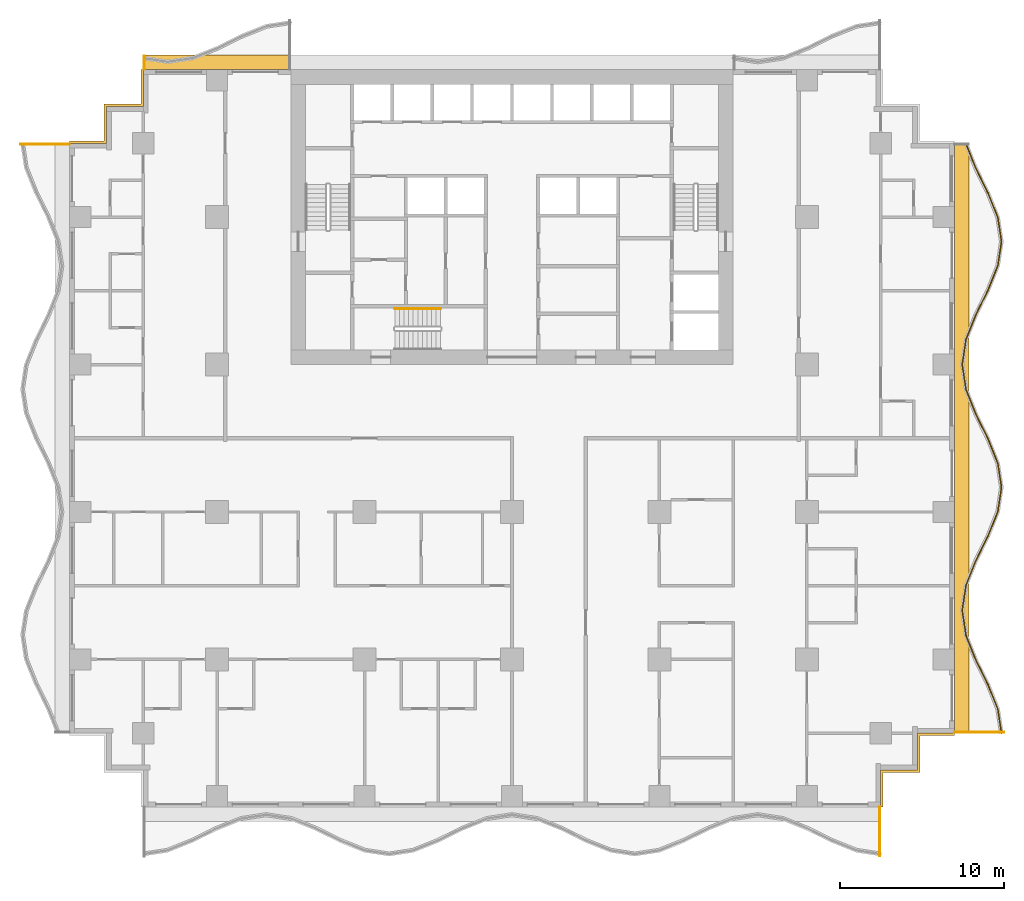
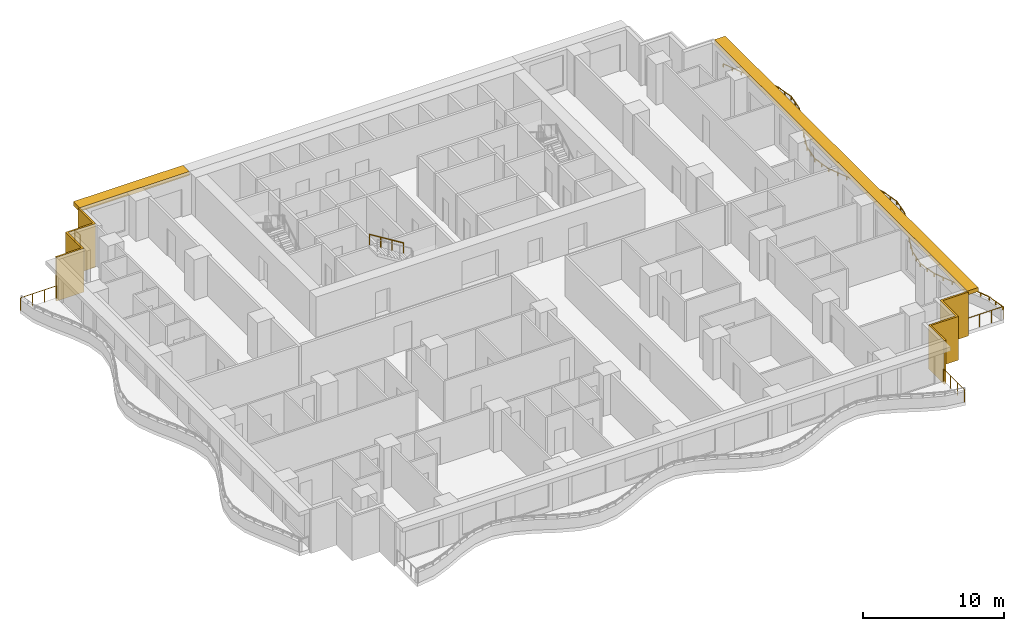
# One storey, part 11 of 14: 6 railings, 4 shading devices.
"""IFC4 building model written with IfcOpenShell, lengths in metres."""

from ifc_helpers import new_model, si_unit, direction, frame, origin, origin_2d, place, context, subcontext, project, spatial, polyline, rectangle, circle, outline, extrude, material, layer, layer_set, type_object, element, save


model = new_model("IFC4")

# Units and contexts
model_context = context("Model", 3, precision=1e-05, world=origin(), true_north=direction((0.0, 1.0)))
body_context = subcontext(model_context, "Body", "Model", "MODEL_VIEW")
ifc_project = project(units=[si_unit("LENGTHUNIT", "METRE"), si_unit("AREAUNIT", "SQUARE_METRE"), si_unit("VOLUMEUNIT", "CUBIC_METRE"), si_unit("PLANEANGLEUNIT", "RADIAN"), si_unit("MASSUNIT", "GRAM", prefix="KILO")], contexts=[model_context])

# Site, building, storey
site_placement = place(None, origin())
site = spatial("IfcSite", under=ifc_project, at=site_placement, CompositionType="ELEMENT")
building_placement = place(site_placement, origin())
building = spatial("IfcBuilding", under=site, at=building_placement, Name="Orbiselva Terraces", CompositionType="ELEMENT")
storey_placement = place(building_placement, frame((0.0, 0.0, 84.6)))
storey = spatial("IfcBuildingStorey", under=building, at=storey_placement, Name="L21", CompositionType="ELEMENT", Elevation=84.6)

# Railings
ifc_material_1 = material(Name="Stainless steel", Category="steel")
railing_type_1 = type_object("IfcRailingType", Name="CORE-HANDRAIL-900", PredefinedType="HANDRAIL", material=ifc_material_1)
railing_1_placement = place(storey_placement, frame((-4.35, 7.9, 2.072727)))
element("IfcRailing", 1, at=railing_1_placement, inside=storey, type_object=railing_type_1, Name="L21 S3 stair handrail 2", PredefinedType="HANDRAIL", context=body_context, shape_type="SweptSolid", body=[
    extrude(circle(Radius=0.024, at=origin_2d()), frame((0.0, 0.0, 0.876), z_axis=(-0.851088519012, 0.0, 0.52502222125), x_axis=(0.0, -1.0, 0.0)), (0.0, 0.0, 1.0), 3.289905),
    extrude(circle(Radius=0.021, at=origin_2d()), origin(), (0.0, 0.0, 1.0), 0.852),
    extrude(circle(Radius=0.021, at=origin_2d()), frame((-0.933333, 0.0, 0.575758)), (0.0, 0.0, 1.0), 0.852),
    extrude(circle(Radius=0.021, at=origin_2d()), frame((-1.866667, 0.0, 1.151515)), (0.0, 0.0, 1.0), 0.852),
    extrude(circle(Radius=0.021, at=origin_2d()), frame((-2.8, 0.0, 1.727273)), (0.0, 0.0, 1.0), 0.852),
])
ifc_material_2 = material(Name="Bonded two-ply safety glass balustrade, stainless steel posts", Category="steel")
railing_type_2 = type_object("IfcRailingType", Name="ENV-BALUSTRADE-1200", PredefinedType="BALUSTRADE", material=ifc_material_2)
railing_2_placement = place(storey_placement, frame((29.876434, -18.018879, 0.9)))
element("IfcRailing", 2, at=railing_2_placement, inside=storey, type_object=railing_type_2, Name="Balcony balustrade L21 E", PredefinedType="BALUSTRADE", context=body_context, shape_type="SweptSolid", body=[
    extrude(outline(polyline([(0.028868, 0.0), (0.014434, 0.025), (-0.014434, 0.025), (-0.028868, 0.0), (-0.014434, -0.025), (0.014434, -0.025), (0.028868, 0.0)])), frame((0.0, 0.0, 0.275), z_axis=(-0.151034103443, 0.988528552748, 0.0), x_axis=(-0.988528552748, -0.151034103443, 0.0)), (0.0, 0.0, 1.0), 1.503038),
    extrude(outline(polyline([(0.028868, 0.0), (0.014434, 0.025), (-0.014434, 0.025), (-0.028868, 0.0), (-0.014434, -0.025), (0.014434, -0.025), (0.028868, 0.0)])), frame((-0.22701, 1.485796, 0.275), z_axis=(-0.371391000387, 0.928476561272, 0.0), x_axis=(-0.928476561272, -0.371391000387, 0.0)), (0.0, 0.0, 1.0), 1.596261),
    extrude(outline(polyline([(0.028868, 0.0), (0.014434, 0.025), (-0.014434, 0.025), (-0.028868, 0.0), (-0.014434, -0.025), (0.014434, -0.025), (0.028868, 0.0)])), frame((-0.819847, 2.967887, 0.275), z_axis=(-0.443212307306, 0.896416672454, 0.0), x_axis=(-0.896416672454, -0.443212307306, 0.0)), (0.0, 0.0, 1.0), 1.673329),
    extrude(outline(polyline([(0.028868, 0.0), (0.014434, 0.025), (-0.014434, 0.025), (-0.028868, 0.0), (-0.014434, -0.025), (0.014434, -0.025), (0.028868, 0.0)])), frame((-1.561487, 4.467887, 0.275), z_axis=(-0.371390359967, 0.92847681744, 0.0), x_axis=(-0.92847681744, -0.371390359967, 0.0)), (0.0, 0.0, 1.0), 1.634838),
    extrude(outline(polyline([(0.028868, 0.0), (0.014434, 0.025), (-0.014434, 0.025), (-0.028868, 0.0), (-0.014434, -0.025), (0.014434, -0.025), (0.028868, 0.0)])), frame((-2.16865, 5.985796, 0.275), z_axis=(-0.151034211256, 0.988528536275, 0.0), x_axis=(-0.988528536275, -0.151034211256, 0.0)), (0.0, 0.0, 1.0), 1.550874),
    extrude(outline(polyline([(0.028868, 0.0), (0.014434, 0.025), (-0.014434, 0.025), (-0.028868, 0.0), (-0.014434, -0.025), (0.014434, -0.025), (0.028868, 0.0)])), frame((-2.402885, 7.518879, 0.275), z_axis=(0.151034211256, 0.988528536275, 0.0), x_axis=(-0.988528536275, 0.151034211256, 0.0)), (0.0, 0.0, 1.0), 1.550874),
    extrude(outline(polyline([(0.028868, 0.0), (0.014434, 0.025), (-0.014434, 0.025), (-0.028868, 0.0), (-0.014434, -0.025), (0.014434, -0.025), (0.028868, 0.0)])), frame((-2.16865, 9.051962, 0.275), z_axis=(0.371390359967, 0.92847681744, 0.0), x_axis=(-0.92847681744, 0.371390359967, 0.0)), (0.0, 0.0, 1.0), 1.634838),
    extrude(outline(polyline([(0.028868, 0.0), (0.014434, 0.025), (-0.014434, 0.025), (-0.028868, 0.0), (-0.014434, -0.025), (0.014434, -0.025), (0.028868, 0.0)])), frame((-1.561487, 10.569871, 0.275), z_axis=(0.443212307306, 0.896416672454, 0.0), x_axis=(-0.896416672454, 0.443212307306, 0.0)), (0.0, 0.0, 1.0), 1.673329),
    extrude(outline(polyline([(0.028868, 0.0), (0.014434, 0.025), (-0.014434, 0.025), (-0.028868, 0.0), (-0.014434, -0.025), (0.014434, -0.025), (0.028868, 0.0)])), frame((-0.819847, 12.069871, 0.275), z_axis=(0.371391000387, 0.928476561272, 0.0), x_axis=(-0.928476561272, 0.371391000387, 0.0)), (0.0, 0.0, 1.0), 1.596261),
    extrude(outline(polyline([(0.028868, 0.0), (0.014434, 0.025), (-0.014434, 0.025), (-0.028868, 0.0), (-0.014434, -0.025), (0.014434, -0.025), (0.028868, 0.0)])), frame((-0.22701, 13.551962, 0.275), z_axis=(0.151033749027, 0.988528606898, 0.0), x_axis=(-0.988528606898, 0.151033749027, 0.0)), (0.0, 0.0, 1.0), 1.48394),
    extrude(outline(polyline([(0.028868, 0.0), (0.014434, 0.025), (-0.014434, 0.025), (-0.028868, 0.0), (-0.014434, -0.025), (0.014434, -0.025), (0.028868, 0.0)])), frame((-0.002885, 15.018879, 0.275), z_axis=(-0.151033749027, 0.988528606898, 0.0), x_axis=(-0.988528606898, -0.151033749027, 0.0)), (0.0, 0.0, 1.0), 1.48394),
    extrude(outline(polyline([(0.028868, 0.0), (0.014434, 0.025), (-0.014434, 0.025), (-0.028868, 0.0), (-0.014434, -0.025), (0.014434, -0.025), (0.028868, 0.0)])), frame((-0.22701, 16.485796, 0.275), z_axis=(-0.371391000387, 0.928476561272, 0.0), x_axis=(-0.928476561272, -0.371391000387, 0.0)), (0.0, 0.0, 1.0), 1.596261),
    extrude(outline(polyline([(0.028868, 0.0), (0.014434, 0.025), (-0.014434, 0.025), (-0.028868, 0.0), (-0.014434, -0.025), (0.014434, -0.025), (0.028868, 0.0)])), frame((-0.819847, 17.967887, 0.275), z_axis=(-0.443212307306, 0.896416672454, 0.0), x_axis=(-0.896416672454, -0.443212307306, 0.0)), (0.0, 0.0, 1.0), 1.673329),
    extrude(outline(polyline([(0.028868, 0.0), (0.014434, 0.025), (-0.014434, 0.025), (-0.028868, 0.0), (-0.014434, -0.025), (0.014434, -0.025), (0.028868, 0.0)])), frame((-1.561487, 19.467887, 0.275), z_axis=(-0.371390359967, 0.92847681744, 0.0), x_axis=(-0.92847681744, -0.371390359967, 0.0)), (0.0, 0.0, 1.0), 1.634838),
    extrude(outline(polyline([(0.028868, 0.0), (0.014434, 0.025), (-0.014434, 0.025), (-0.028868, 0.0), (-0.014434, -0.025), (0.014434, -0.025), (0.028868, 0.0)])), frame((-2.16865, 20.985796, 0.275), z_axis=(-0.151034211256, 0.988528536275, 0.0), x_axis=(-0.988528536275, -0.151034211256, 0.0)), (0.0, 0.0, 1.0), 1.550874),
    extrude(outline(polyline([(0.028868, 0.0), (0.014434, 0.025), (-0.014434, 0.025), (-0.028868, 0.0), (-0.014434, -0.025), (0.014434, -0.025), (0.028868, 0.0)])), frame((-2.402885, 22.518879, 0.275), z_axis=(0.151034211256, 0.988528536275, 0.0), x_axis=(-0.988528536275, 0.151034211256, 0.0)), (0.0, 0.0, 1.0), 1.550874),
    extrude(outline(polyline([(0.028868, 0.0), (0.014434, 0.025), (-0.014434, 0.025), (-0.028868, 0.0), (-0.014434, -0.025), (0.014434, -0.025), (0.028868, 0.0)])), frame((-2.16865, 24.051962, 0.275), z_axis=(0.371390359967, 0.92847681744, 0.0), x_axis=(-0.92847681744, 0.371390359967, 0.0)), (0.0, 0.0, 1.0), 1.634838),
    extrude(outline(polyline([(0.028868, 0.0), (0.014434, 0.025), (-0.014434, 0.025), (-0.028868, 0.0), (-0.014434, -0.025), (0.014434, -0.025), (0.028868, 0.0)])), frame((-1.561487, 25.569871, 0.275), z_axis=(0.443212307306, 0.896416672454, 0.0), x_axis=(-0.896416672454, 0.443212307306, 0.0)), (0.0, 0.0, 1.0), 1.673329),
    extrude(outline(polyline([(0.028868, 0.0), (0.014434, 0.025), (-0.014434, 0.025), (-0.028868, 0.0), (-0.014434, -0.025), (0.014434, -0.025), (0.028868, 0.0)])), frame((-0.819847, 27.069871, 0.275), z_axis=(0.371391000387, 0.928476561272, 0.0), x_axis=(-0.928476561272, 0.371391000387, 0.0)), (0.0, 0.0, 1.0), 1.596261),
    extrude(outline(polyline([(0.028868, 0.0), (0.014434, 0.025), (-0.014434, 0.025), (-0.028868, 0.0), (-0.014434, -0.025), (0.014434, -0.025), (0.028868, 0.0)])), frame((-0.22701, 28.551962, 0.275), z_axis=(0.151033749027, 0.988528606898, 0.0), x_axis=(-0.988528606898, 0.151033749027, 0.0)), (0.0, 0.0, 1.0), 1.48394),
    extrude(outline(polyline([(0.028868, 0.0), (0.014434, 0.025), (-0.014434, 0.025), (-0.028868, 0.0), (-0.014434, -0.025), (0.014434, -0.025), (0.028868, 0.0)])), frame((-0.002885, 30.018879, 0.275), z_axis=(-0.151033749027, 0.988528606898, 0.0), x_axis=(-0.988528606898, -0.151033749027, 0.0)), (0.0, 0.0, 1.0), 1.48394),
    extrude(outline(polyline([(0.028868, 0.0), (0.014434, 0.025), (-0.014434, 0.025), (-0.028868, 0.0), (-0.014434, -0.025), (0.014434, -0.025), (0.028868, 0.0)])), frame((-0.22701, 31.485796, 0.275), z_axis=(-0.371391000387, 0.928476561272, 0.0), x_axis=(-0.928476561272, -0.371391000387, 0.0)), (0.0, 0.0, 1.0), 1.596261),
    extrude(outline(polyline([(0.028868, 0.0), (0.014434, 0.025), (-0.014434, 0.025), (-0.028868, 0.0), (-0.014434, -0.025), (0.014434, -0.025), (0.028868, 0.0)])), frame((-0.819847, 32.967887, 0.275), z_axis=(-0.443212307306, 0.896416672454, 0.0), x_axis=(-0.896416672454, -0.443212307306, 0.0)), (0.0, 0.0, 1.0), 1.673329),
    extrude(outline(polyline([(0.028868, 0.0), (0.014434, 0.025), (-0.014434, 0.025), (-0.028868, 0.0), (-0.014434, -0.025), (0.014434, -0.025), (0.028868, 0.0)])), frame((-1.561487, 34.467887, 0.275), z_axis=(-0.371390569957, 0.928476733444, 0.0), x_axis=(-0.928476733444, -0.371390569957, 0.0)), (0.0, 0.0, 1.0), 1.620469),
    extrude(rectangle(XDim=0.05, YDim=0.05, at=origin_2d()), origin(), (0.0, 0.0, 1.0), 0.25),
    extrude(rectangle(XDim=0.05, YDim=0.05, at=origin_2d()), frame((-0.113505, 0.742898, 0.0)), (0.0, 0.0, 1.0), 0.25),
    extrude(rectangle(XDim=0.05, YDim=0.05, at=origin_2d()), frame((-0.22701, 1.485796, 0.0)), (0.0, 0.0, 1.0), 0.25),
    extrude(rectangle(XDim=0.05, YDim=0.05, at=origin_2d()), frame((-0.523428, 2.226841, 0.0)), (0.0, 0.0, 1.0), 0.25),
    extrude(rectangle(XDim=0.05, YDim=0.05, at=origin_2d()), frame((-0.819847, 2.967887, 0.0)), (0.0, 0.0, 1.0), 0.25),
    extrude(rectangle(XDim=0.05, YDim=0.05, at=origin_2d()), frame((-1.190667, 3.717887, 0.0)), (0.0, 0.0, 1.0), 0.25),
    extrude(rectangle(XDim=0.05, YDim=0.05, at=origin_2d()), frame((-1.561487, 4.467887, 0.0)), (0.0, 0.0, 1.0), 0.25),
    extrude(rectangle(XDim=0.05, YDim=0.05, at=origin_2d()), frame((-1.865068, 5.226841, 0.0)), (0.0, 0.0, 1.0), 0.25),
    extrude(rectangle(XDim=0.05, YDim=0.05, at=origin_2d()), frame((-2.16865, 5.985796, 0.0)), (0.0, 0.0, 1.0), 0.25),
    extrude(rectangle(XDim=0.05, YDim=0.05, at=origin_2d()), frame((-2.285768, 6.752337, 0.0)), (0.0, 0.0, 1.0), 0.25),
    extrude(rectangle(XDim=0.05, YDim=0.05, at=origin_2d()), frame((-2.402885, 7.518879, 0.0)), (0.0, 0.0, 1.0), 0.25),
    extrude(rectangle(XDim=0.05, YDim=0.05, at=origin_2d()), frame((-2.285768, 8.28542, 0.0)), (0.0, 0.0, 1.0), 0.25),
    extrude(rectangle(XDim=0.05, YDim=0.05, at=origin_2d()), frame((-2.16865, 9.051962, 0.0)), (0.0, 0.0, 1.0), 0.25),
    extrude(rectangle(XDim=0.05, YDim=0.05, at=origin_2d()), frame((-1.865068, 9.810916, 0.0)), (0.0, 0.0, 1.0), 0.25),
    extrude(rectangle(XDim=0.05, YDim=0.05, at=origin_2d()), frame((-1.561487, 10.569871, 0.0)), (0.0, 0.0, 1.0), 0.25),
    extrude(rectangle(XDim=0.05, YDim=0.05, at=origin_2d()), frame((-1.190667, 11.319871, 0.0)), (0.0, 0.0, 1.0), 0.25),
    extrude(rectangle(XDim=0.05, YDim=0.05, at=origin_2d()), frame((-0.819847, 12.069871, 0.0)), (0.0, 0.0, 1.0), 0.25),
    extrude(rectangle(XDim=0.05, YDim=0.05, at=origin_2d()), frame((-0.523428, 12.810916, 0.0)), (0.0, 0.0, 1.0), 0.25),
    extrude(rectangle(XDim=0.05, YDim=0.05, at=origin_2d()), frame((-0.22701, 13.551962, 0.0)), (0.0, 0.0, 1.0), 0.25),
    extrude(rectangle(XDim=0.05, YDim=0.05, at=origin_2d()), frame((-0.114947, 14.28542, 0.0)), (0.0, 0.0, 1.0), 0.25),
    extrude(rectangle(XDim=0.05, YDim=0.05, at=origin_2d()), frame((-0.002885, 15.018879, 0.0)), (0.0, 0.0, 1.0), 0.25),
    extrude(rectangle(XDim=0.05, YDim=0.05, at=origin_2d()), frame((-0.114947, 15.752337, 0.0)), (0.0, 0.0, 1.0), 0.25),
    extrude(rectangle(XDim=0.05, YDim=0.05, at=origin_2d()), frame((-0.22701, 16.485796, 0.0)), (0.0, 0.0, 1.0), 0.25),
    extrude(rectangle(XDim=0.05, YDim=0.05, at=origin_2d()), frame((-0.523428, 17.226842, 0.0)), (0.0, 0.0, 1.0), 0.25),
    extrude(rectangle(XDim=0.05, YDim=0.05, at=origin_2d()), frame((-0.819847, 17.967887, 0.0)), (0.0, 0.0, 1.0), 0.25),
    extrude(rectangle(XDim=0.05, YDim=0.05, at=origin_2d()), frame((-1.190667, 18.717887, 0.0)), (0.0, 0.0, 1.0), 0.25),
    extrude(rectangle(XDim=0.05, YDim=0.05, at=origin_2d()), frame((-1.561487, 19.467887, 0.0)), (0.0, 0.0, 1.0), 0.25),
    extrude(rectangle(XDim=0.05, YDim=0.05, at=origin_2d()), frame((-1.865068, 20.226842, 0.0)), (0.0, 0.0, 1.0), 0.25),
    extrude(rectangle(XDim=0.05, YDim=0.05, at=origin_2d()), frame((-2.16865, 20.985796, 0.0)), (0.0, 0.0, 1.0), 0.25),
    extrude(rectangle(XDim=0.05, YDim=0.05, at=origin_2d()), frame((-2.285768, 21.752337, 0.0)), (0.0, 0.0, 1.0), 0.25),
    extrude(rectangle(XDim=0.05, YDim=0.05, at=origin_2d()), frame((-2.402885, 22.518879, 0.0)), (0.0, 0.0, 1.0), 0.25),
    extrude(rectangle(XDim=0.05, YDim=0.05, at=origin_2d()), frame((-2.285768, 23.28542, 0.0)), (0.0, 0.0, 1.0), 0.25),
    extrude(rectangle(XDim=0.05, YDim=0.05, at=origin_2d()), frame((-2.16865, 24.051962, 0.0)), (0.0, 0.0, 1.0), 0.25),
    extrude(rectangle(XDim=0.05, YDim=0.05, at=origin_2d()), frame((-1.865068, 24.810916, 0.0)), (0.0, 0.0, 1.0), 0.25),
    extrude(rectangle(XDim=0.05, YDim=0.05, at=origin_2d()), frame((-1.561487, 25.569871, 0.0)), (0.0, 0.0, 1.0), 0.25),
    extrude(rectangle(XDim=0.05, YDim=0.05, at=origin_2d()), frame((-1.190667, 26.319871, 0.0)), (0.0, 0.0, 1.0), 0.25),
    extrude(rectangle(XDim=0.05, YDim=0.05, at=origin_2d()), frame((-0.819847, 27.069871, 0.0)), (0.0, 0.0, 1.0), 0.25),
    extrude(rectangle(XDim=0.05, YDim=0.05, at=origin_2d()), frame((-0.523428, 27.810916, 0.0)), (0.0, 0.0, 1.0), 0.25),
    extrude(rectangle(XDim=0.05, YDim=0.05, at=origin_2d()), frame((-0.22701, 28.551962, 0.0)), (0.0, 0.0, 1.0), 0.25),
    extrude(rectangle(XDim=0.05, YDim=0.05, at=origin_2d()), frame((-0.114947, 29.28542, 0.0)), (0.0, 0.0, 1.0), 0.25),
    extrude(rectangle(XDim=0.05, YDim=0.05, at=origin_2d()), frame((-0.002885, 30.018879, 0.0)), (0.0, 0.0, 1.0), 0.25),
    extrude(rectangle(XDim=0.05, YDim=0.05, at=origin_2d()), frame((-0.114947, 30.752338, 0.0)), (0.0, 0.0, 1.0), 0.25),
    extrude(rectangle(XDim=0.05, YDim=0.05, at=origin_2d()), frame((-0.22701, 31.485796, 0.0)), (0.0, 0.0, 1.0), 0.25),
    extrude(rectangle(XDim=0.05, YDim=0.05, at=origin_2d()), frame((-0.523428, 32.226842, 0.0)), (0.0, 0.0, 1.0), 0.25),
    extrude(rectangle(XDim=0.05, YDim=0.05, at=origin_2d()), frame((-0.819847, 32.967887, 0.0)), (0.0, 0.0, 1.0), 0.25),
    extrude(rectangle(XDim=0.05, YDim=0.05, at=origin_2d()), frame((-1.190667, 33.717887, 0.0)), (0.0, 0.0, 1.0), 0.25),
    extrude(rectangle(XDim=0.05, YDim=0.05, at=origin_2d()), frame((-1.561487, 34.467887, 0.0)), (0.0, 0.0, 1.0), 0.25),
    extrude(rectangle(XDim=0.05, YDim=0.05, at=origin_2d()), frame((-1.8624, 35.220171, 0.0)), (0.0, 0.0, 1.0), 0.25),
    extrude(rectangle(XDim=0.05, YDim=0.05, at=origin_2d()), frame((-2.163314, 35.972455, 0.0)), (0.0, 0.0, 1.0), 0.25),
])
ifc_material_3 = material(Name="Stainless steel rail and posts", Category="steel")
railing_type_3 = type_object("IfcRailingType", Name="ENV-GUARD-1105", PredefinedType="BALUSTRADE", material=ifc_material_3)
railing_3_placement = place(storey_placement, frame((22.44, -25.499621, 0.0)))
element("IfcRailing", 3, at=railing_3_placement, inside=storey, type_object=railing_type_3, Name="Balcony end guard L21 S", PredefinedType="BALUSTRADE", context=body_context, shape_type="SweptSolid", body=[
    extrude(outline(polyline([(0.028868, 0.0), (0.014434, 0.025), (-0.014434, 0.025), (-0.028868, 0.0), (-0.014434, -0.025), (0.014434, -0.025), (0.028868, 0.0)])), frame((0.0, 0.0, 1.08), z_axis=(0.0, 1.0, 0.0), x_axis=(-1.0, 0.0, 0.0)), (0.0, 0.0, 1.0), 2.974621),
    extrude(rectangle(XDim=0.05, YDim=0.05, at=origin_2d()), origin(), (0.0, 0.0, 1.0), 1.055),
    extrude(rectangle(XDim=0.05, YDim=0.05, at=origin_2d()), frame((0.0, 0.99154, 0.0)), (0.0, 0.0, 1.0), 1.055),
    extrude(rectangle(XDim=0.05, YDim=0.05, at=origin_2d()), frame((0.0, 1.983081, 0.0)), (0.0, 0.0, 1.0), 1.055),
    extrude(rectangle(XDim=0.05, YDim=0.05, at=origin_2d()), frame((0.0, 2.974621, 0.0)), (0.0, 0.0, 1.0), 1.055),
])
railing_4_placement = place(storey_placement, frame((29.999621, -17.94, 0.0)))
element("IfcRailing", 4, at=railing_4_placement, inside=storey, type_object=railing_type_3, Name="Balcony end guard L21 E", PredefinedType="BALUSTRADE", context=body_context, shape_type="SweptSolid", body=[
    extrude(outline(polyline([(0.028868, 0.0), (0.014434, 0.025), (-0.014434, 0.025), (-0.028868, 0.0), (-0.014434, -0.025), (0.014434, -0.025), (0.028868, 0.0)])), frame((0.0, 0.0, 1.08), z_axis=(-1.0, 0.0, 0.0), x_axis=(0.0, -1.0, 0.0)), (0.0, 0.0, 1.0), 2.974621),
    extrude(rectangle(XDim=0.05, YDim=0.05, at=origin_2d()), origin(), (0.0, 0.0, 1.0), 1.055),
    extrude(rectangle(XDim=0.05, YDim=0.05, at=origin_2d()), frame((-0.99154, 0.0, 0.0)), (0.0, 0.0, 1.0), 1.055),
    extrude(rectangle(XDim=0.05, YDim=0.05, at=origin_2d()), frame((-1.983081, 0.0, 0.0)), (0.0, 0.0, 1.0), 1.055),
    extrude(rectangle(XDim=0.05, YDim=0.05, at=origin_2d()), frame((-2.974621, 0.0, 0.0)), (0.0, 0.0, 1.0), 1.055),
])
railing_5_placement = place(storey_placement, frame((-22.44, 23.311761, 0.0)))
element("IfcRailing", 5, at=railing_5_placement, inside=storey, type_object=railing_type_3, Name="Balcony end guard L21 NW", PredefinedType="BALUSTRADE", context=body_context, shape_type="SweptSolid", body=[
    extrude(outline(polyline([(0.028868, 0.0), (0.014434, 0.025), (-0.014434, 0.025), (-0.028868, 0.0), (-0.014434, -0.025), (0.014434, -0.025), (0.028868, 0.0)])), frame((0.0, 0.0, 1.08), z_axis=(0.0, -1.0, 0.0), x_axis=(1.0, 0.0, 0.0)), (0.0, 0.0, 1.0), 0.786761),
    extrude(rectangle(XDim=0.05, YDim=0.05, at=origin_2d()), origin(), (0.0, 0.0, 1.0), 1.055),
    extrude(rectangle(XDim=0.05, YDim=0.05, at=origin_2d()), frame((0.0, -0.786761, 0.0)), (0.0, 0.0, 1.0), 1.055),
])
railing_6_placement = place(storey_placement, frame((-29.999621, 17.94, 0.0)))
element("IfcRailing", 6, at=railing_6_placement, inside=storey, type_object=railing_type_3, Name="Balcony end guard L21 W", PredefinedType="BALUSTRADE", context=body_context, shape_type="SweptSolid", body=[
    extrude(outline(polyline([(0.028868, 0.0), (0.014434, 0.025), (-0.014434, 0.025), (-0.028868, 0.0), (-0.014434, -0.025), (0.014434, -0.025), (0.028868, 0.0)])), frame((0.0, 0.0, 1.08), z_axis=(1.0, 0.0, 0.0), x_axis=(0.0, 1.0, 0.0)), (0.0, 0.0, 1.0), 2.974621),
    extrude(rectangle(XDim=0.05, YDim=0.05, at=origin_2d()), origin(), (0.0, 0.0, 1.0), 1.055),
    extrude(rectangle(XDim=0.05, YDim=0.05, at=origin_2d()), frame((0.99154, 0.0, 0.0)), (0.0, 0.0, 1.0), 1.055),
    extrude(rectangle(XDim=0.05, YDim=0.05, at=origin_2d()), frame((1.983081, 0.0, 0.0)), (0.0, 0.0, 1.0), 1.055),
    extrude(rectangle(XDim=0.05, YDim=0.05, at=origin_2d()), frame((2.974621, 0.0, 0.0)), (0.0, 0.0, 1.0), 1.055),
])

# Shading devices
ifc_material_4 = material(Name="Terracotta louvre screen", Category="masonry")
ifc_layer_1 = layer(ifc_material_4, 0.15)
ifc_layer_set_1 = layer_set([ifc_layer_1], Name="Terracotta louvre screen")
shading_device_type_1 = type_object("IfcShadingDeviceType", Name="ENV-SCREEN-150", PredefinedType="USERDEFINED", material=ifc_layer_set_1)
shading_device_1_placement = place(storey_placement, frame((0.0, 0.0, -0.3)))
element("IfcShadingDevice", 7, at=shading_device_1_placement, inside=storey, type_object=shading_device_type_1, Name="Louvre screen L21 NW", ObjectType="SCREEN", PredefinedType="USERDEFINED", context=body_context, shape_type="SweptSolid", body=[
    extrude(outline(polyline([(-22.65, 22.5), (-22.65, 20.4), (-24.9, 20.4), (-24.9, 18.15), (-27.0, 18.15), (-27.0, 18.0), (-24.75, 18.0), (-24.75, 20.25), (-22.5, 20.25), (-22.5, 22.5), (-22.65, 22.5)])), origin(), (0.0, 0.0, 1.0), 3.8),
])
shading_device_2_placement = place(storey_placement, frame((0.0, 0.0, -0.3)))
element("IfcShadingDevice", 8, at=shading_device_2_placement, inside=storey, type_object=shading_device_type_1, Name="Louvre screen L21 SE", ObjectType="SCREEN", PredefinedType="USERDEFINED", context=body_context, shape_type="SweptSolid", body=[
    extrude(outline(polyline([(22.65, -22.5), (22.65, -20.4), (24.9, -20.4), (24.9, -18.15), (27.0, -18.15), (27.0, -18.0), (24.75, -18.0), (24.75, -20.25), (22.5, -20.25), (22.5, -22.5), (22.65, -22.5)])), origin(), (0.0, 0.0, 1.0), 3.8),
])
ifc_material_5 = material(Name="Terracotta baguette sunshade", Category="masonry")
ifc_layer_2 = layer(ifc_material_5, 0.35)
ifc_layer_set_2 = layer_set([ifc_layer_2], Name="Terracotta baguette sunshade")
shading_device_type_2 = type_object("IfcShadingDeviceType", Name="ENV-SUNSHADE-900x350", PredefinedType="USERDEFINED", material=ifc_layer_set_2)
shading_device_3_placement = place(storey_placement, frame((0.0, 0.0, 3.15)))
element("IfcShadingDevice", 9, at=shading_device_3_placement, inside=storey, type_object=shading_device_type_2, Name="Sunshade band L21 E", ObjectType="SUNSHADE", PredefinedType="USERDEFINED", context=body_context, shape_type="SweptSolid", body=[
    extrude(outline(polyline([(27.9, -18.0), (27.9, 18.0), (27.0, 18.0), (27.0, -18.0), (27.9, -18.0)])), origin(), (0.0, 0.0, 1.0), 0.35),
])
shading_device_4_placement = place(storey_placement, frame((0.0, 0.0, 3.15)))
element("IfcShadingDevice", 10, at=shading_device_4_placement, inside=storey, type_object=shading_device_type_2, Name="Sunshade band L21 NW", ObjectType="SUNSHADE", PredefinedType="USERDEFINED", context=body_context, shape_type="SweptSolid", body=[
    extrude(outline(polyline([(-13.5, 23.4), (-22.5, 23.4), (-22.5, 22.5), (-13.5, 22.5), (-13.5, 23.4)])), origin(), (0.0, 0.0, 1.0), 0.35),
])

save(model, "model.ifc")
